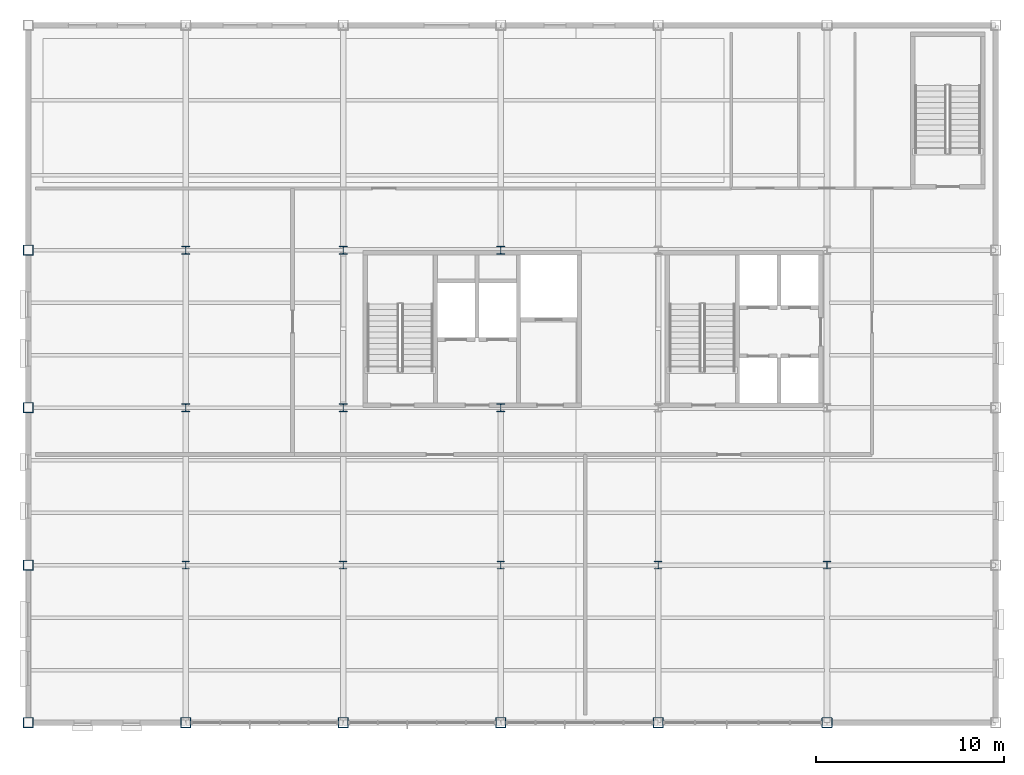
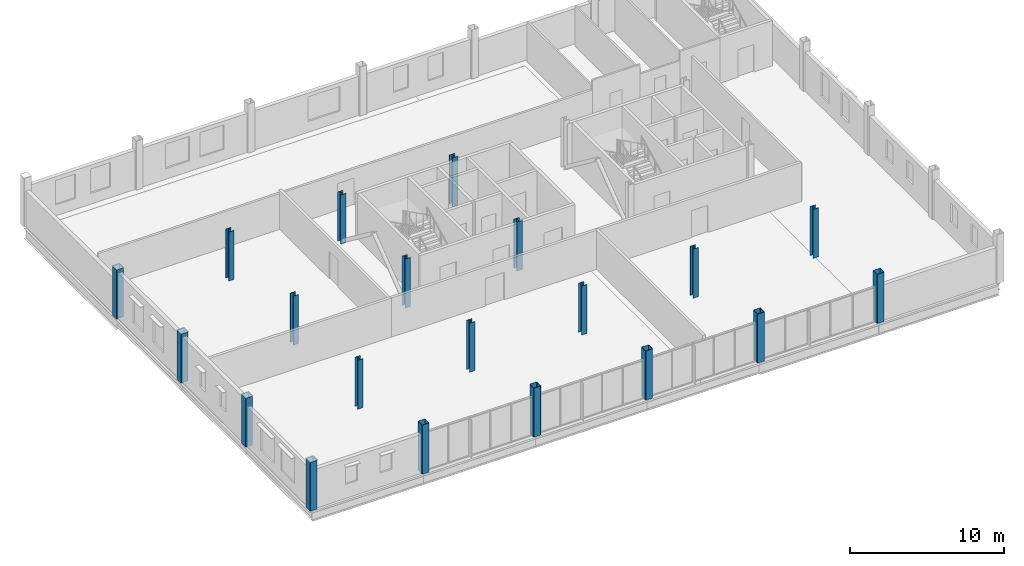
# One storey, part 1 of 17: 20 columns.
"""IFC4 building model written with IfcOpenShell, lengths in metres."""

from ifc_helpers import new_model, si_unit, direction, frame, origin, origin_2d, place, context, subcontext, project, spatial, hollow_rectangle, i_section, extrude, material, material_profile, profile_set, type_object, element, save


model = new_model("IFC4")

# Units and contexts
model_context = context("Model", 3, precision=1e-05, world=origin(), true_north=direction((0.0, 1.0)))
body_context = subcontext(model_context, "Body", "Model", "MODEL_VIEW")
ifc_project = project(units=[si_unit("LENGTHUNIT", "METRE"), si_unit("AREAUNIT", "SQUARE_METRE"), si_unit("VOLUMEUNIT", "CUBIC_METRE"), si_unit("PLANEANGLEUNIT", "RADIAN"), si_unit("MASSUNIT", "GRAM", prefix="KILO")], contexts=[model_context])

# Site, building, storey
site_placement = place(None, origin())
site = spatial("IfcSite", under=ifc_project, at=site_placement, CompositionType="ELEMENT")
building_placement = place(site_placement, origin())
building = spatial("IfcBuilding", under=site, at=building_placement, Name="Yukiwa Park Conservatory and Herbarium", CompositionType="ELEMENT")
storey_placement = place(building_placement, frame((0.0, 0.0, 17.10009765625)))
storey = spatial("IfcBuildingStorey", under=building, at=storey_placement, Name="L04", CompositionType="ELEMENT", Elevation=17.10009765625)

# Columns
ifc_material_1 = material(Name="Steel Q355D", Category="steel")
ifc_material_profile_1 = material_profile(ifc_material_1, hollow_rectangle(XDim=0.550048828125, YDim=0.550048828125, WallThickness=0.02197265625, InnerFilletRadius=0.02197265625, OuterFilletRadius=0.0439453125, at=origin_2d()), Name="BOX 550x550x22")
ifc_profile_set_1 = profile_set([ifc_material_profile_1], Name="Steel Q355D")
column_type_1 = type_object("IfcColumnType", Name="COL-TW-BOX550-EXT", PredefinedType="COLUMN", material=ifc_profile_set_1)
for number, where, z_axis, x_axis, name in (
    (1, (116.39990234375, 78.0, 0.0), (0.0, 0.0, 1.0), (1.0, 0.0, 0.0), "L04 column V5-X1164-Y780"),
    (2, (116.39990234375, 86.39990234375, 0.0), (0.0, 0.0, 1.0), (1.0, 0.0, 0.0), "L04 column V5-X1164-Y864"),
    (3, (116.39990234375, 94.800048828125, 0.0), (0.0, 0.0, 1.0), (1.0, 0.0, 0.0), "L04 column V5-X1164-Y948"),
    (4, (116.39990234375, 103.199951171875, 0.0), (0.0, 0.0, 1.0), (1.0, 0.0, 0.0), "L04 column V5-X1164-Y1032"),
):
    element("IfcColumn", number, at=place(storey_placement, frame(where, z_axis=z_axis, x_axis=x_axis)), inside=storey, type_object=column_type_1, Name=name, PredefinedType="COLUMN", context=body_context, shape_type="SweptSolid", body=[
        extrude(hollow_rectangle(XDim=0.550048828125, YDim=0.550048828125, WallThickness=0.02197265625, InnerFilletRadius=0.02197265625, OuterFilletRadius=0.0439453125, at=origin_2d()), origin(), (0.0, 0.0, 1.0), 3.8759765625),
    ])
for number, where, z_axis, x_axis, name in (
    (5, (124.800048828125, 78.0, 0.0), (0.0, 0.0, 1.0), (1.0, 0.0, 0.0), "L04 column V5-X1248-Y780"),
    (6, (133.199951171875, 78.0, 0.0), (0.0, 0.0, 1.0), (1.0, 0.0, 0.0), "L04 column V5-X1332-Y780"),
    (7, (141.60009765625, 78.0, 0.0), (0.0, 0.0, 1.0), (1.0, 0.0, 0.0), "L04 column V5-X1416-Y780"),
    (8, (150.0, 78.0, 0.0), (0.0, 0.0, 1.0), (1.0, 0.0, 0.0), "L04 column V5-X1500-Y780"),
    (9, (159.0, 78.0, 0.0), (0.0, 0.0, 1.0), (1.0, 0.0, 0.0), "L04 column V5-X1590-Y780"),
):
    element("IfcColumn", number, at=place(storey_placement, frame(where, z_axis=z_axis, x_axis=x_axis)), inside=storey, type_object=column_type_1, Name=name, PredefinedType="COLUMN", context=body_context, shape_type="SweptSolid", body=[
        extrude(hollow_rectangle(XDim=0.550048828125, YDim=0.550048828125, WallThickness=0.02197265625, InnerFilletRadius=0.02197265625, OuterFilletRadius=0.0439453125, at=origin_2d()), origin(), (0.0, 0.0, 1.0), 3.89990234375),
    ])
ifc_material_2 = material(Name="Steel Q355D", Category="steel")
ifc_material_profile_2 = material_profile(ifc_material_2, i_section(OverallWidth=0.39990234375, OverallDepth=0.39990234375, WebThickness=0.012939453125, FlangeThickness=0.02099609375, FilletRadius=0.02197265625, at=origin_2d()), Name="HW 400x400x13x21")
ifc_profile_set_2 = profile_set([ifc_material_profile_2], Name="Steel Q355D")
column_type_2 = type_object("IfcColumnType", Name="COL-TW-HW400", PredefinedType="COLUMN", material=ifc_profile_set_2)
for number, where, z_axis, x_axis, name in (
    (10, (124.800048828125, 86.39990234375, 0.0), (0.0, 0.0, 1.0), (1.0, 0.0, 0.0), "L04 column V5-X1248-Y864"),
    (11, (133.199951171875, 86.39990234375, 0.0), (0.0, 0.0, 1.0), (1.0, 0.0, 0.0), "L04 column V5-X1332-Y864"),
    (12, (141.60009765625, 86.39990234375, 0.0), (0.0, 0.0, 1.0), (1.0, 0.0, 0.0), "L04 column V5-X1416-Y864"),
    (13, (150.0, 86.39990234375, 0.0), (0.0, 0.0, 1.0), (1.0, 0.0, 0.0), "L04 column V5-X1500-Y864"),
    (14, (159.0, 86.39990234375, 0.0), (0.0, 0.0, 1.0), (1.0, 0.0, 0.0), "L04 column V5-X1590-Y864"),
):
    element("IfcColumn", number, at=place(storey_placement, frame(where, z_axis=z_axis, x_axis=x_axis)), inside=storey, type_object=column_type_2, Name=name, PredefinedType="COLUMN", context=body_context, shape_type="SweptSolid", body=[
        extrude(i_section(OverallWidth=0.39990234375, OverallDepth=0.39990234375, WebThickness=0.012939453125, FlangeThickness=0.02099609375, FilletRadius=0.02197265625, at=origin_2d()), origin(), (0.0, 0.0, 1.0), 3.89990234375),
    ])
ifc_material_3 = material(Name="Steel Q355D", Category="steel")
ifc_material_profile_3 = material_profile(ifc_material_3, i_section(OverallWidth=0.405029296875, OverallDepth=0.4140625, WebThickness=0.01806640625, FlangeThickness=0.028076171875, FilletRadius=0.02197265625, at=origin_2d()), Name="HW 414x405x18x28")
ifc_profile_set_3 = profile_set([ifc_material_profile_3], Name="Steel Q355D")
column_type_3 = type_object("IfcColumnType", Name="COL-TW-HW414", PredefinedType="COLUMN", material=ifc_profile_set_3)
for number, where, z_axis, x_axis, name in (
    (15, (124.800048828125, 94.800048828125, 0.0), (0.0, 0.0, 1.0), (1.0, 0.0, 0.0), "L04 column V5-X1248-Y948"),
    (16, (124.800048828125, 103.199951171875, 0.0), (0.0, 0.0, 1.0), (1.0, 0.0, 0.0), "L04 column V5-X1248-Y1032"),
    (17, (133.199951171875, 94.800048828125, 0.0), (0.0, 0.0, 1.0), (1.0, 0.0, 0.0), "L04 column V5-X1332-Y948"),
    (18, (133.199951171875, 103.199951171875, 0.0), (0.0, 0.0, 1.0), (1.0, 0.0, 0.0), "L04 column V5-X1332-Y1032"),
    (19, (141.60009765625, 94.800048828125, 0.0), (0.0, 0.0, 1.0), (1.0, 0.0, 0.0), "L04 column V5-X1416-Y948"),
    (20, (141.60009765625, 103.199951171875, 0.0), (0.0, 0.0, 1.0), (1.0, 0.0, 0.0), "L04 column V5-X1416-Y1032"),
):
    element("IfcColumn", number, at=place(storey_placement, frame(where, z_axis=z_axis, x_axis=x_axis)), inside=storey, type_object=column_type_3, Name=name, PredefinedType="COLUMN", context=body_context, shape_type="SweptSolid", body=[
        extrude(i_section(OverallWidth=0.405029296875, OverallDepth=0.4140625, WebThickness=0.01806640625, FlangeThickness=0.028076171875, FilletRadius=0.02197265625, at=origin_2d()), origin(), (0.0, 0.0, 1.0), 3.89990234375),
    ])

save(model, "model.ifc")
